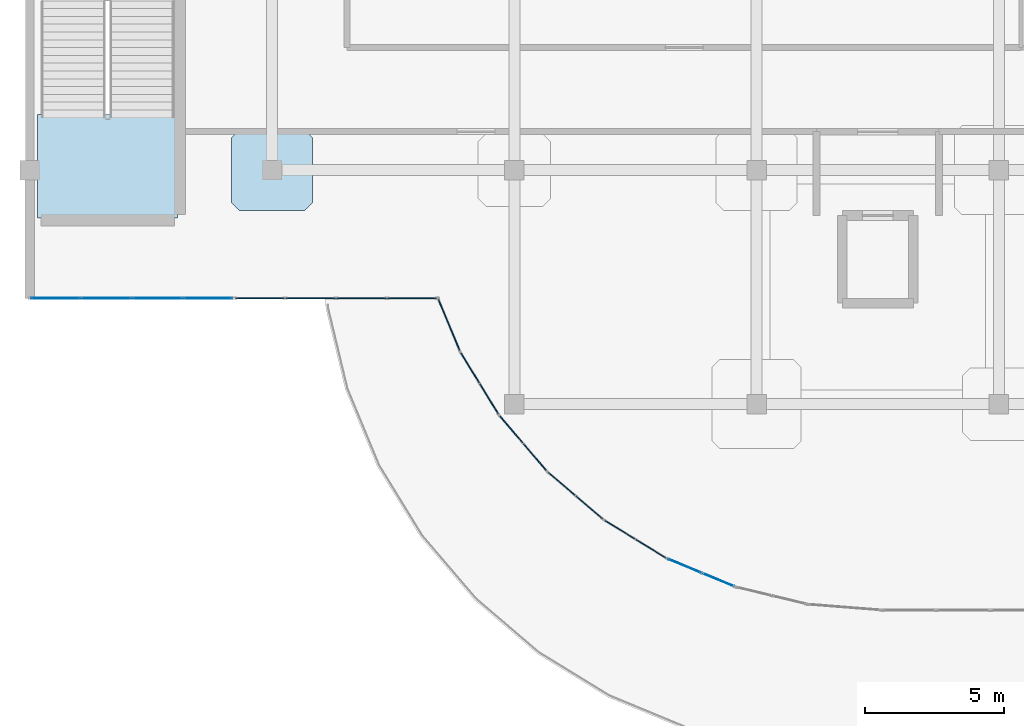
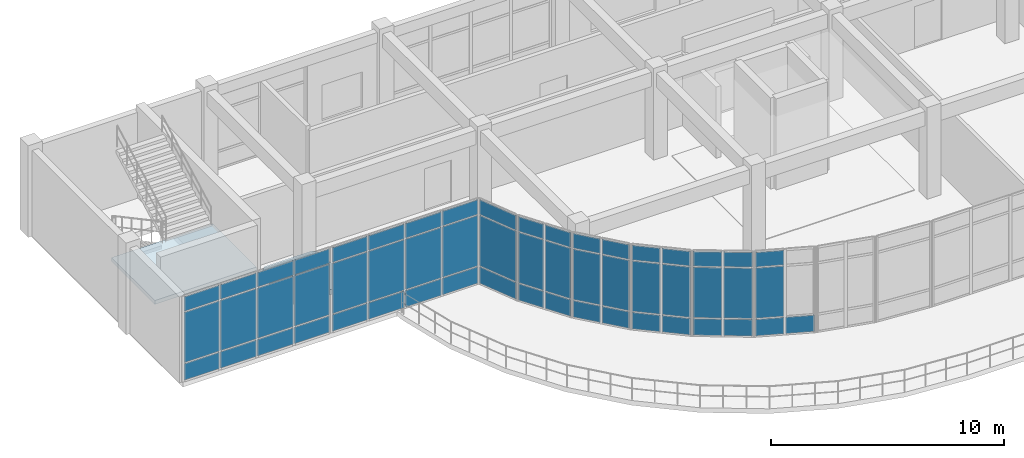
# One storey, part 46 of 64: 55 plates, 2 slabs, 9 elements without a shape of their own.
"""IFC4 building model written with IfcOpenShell, lengths in metres."""

from ifc_helpers import new_model, si_unit, derived_unit, direction, frame, origin, origin_2d, place, context, subcontext, project, spatial, polyline, rectangle, outline, extrude, material, layer, layer_set, type_object, element, aggregate, save


model = new_model("IFC4")

# Units and contexts
model_context = context("Model", 3, precision=1e-05, world=origin(), true_north=direction((0.0, 1.0)))
body_context = subcontext(model_context, "Body", "Model", "MODEL_VIEW")
ifc_project = project(units=[si_unit("LENGTHUNIT", "METRE"), si_unit("AREAUNIT", "SQUARE_METRE"), si_unit("VOLUMEUNIT", "CUBIC_METRE"), si_unit("PLANEANGLEUNIT", "RADIAN"), si_unit("MASSUNIT", "GRAM", prefix="KILO"), derived_unit("THERMALTRANSMITTANCEUNIT", [(si_unit("MASSUNIT", "GRAM", prefix="KILO"), 1), (si_unit("TIMEUNIT", "SECOND"), -3), (si_unit("THERMODYNAMICTEMPERATUREUNIT", "KELVIN"), -1)])], contexts=[model_context])

# Site, building, storey
site_placement = place(None, origin())
site = spatial("IfcSite", under=ifc_project, at=site_placement, CompositionType="ELEMENT")
building_placement = place(site_placement, origin())
building = spatial("IfcBuilding", under=site, at=building_placement, Name="Qinzheling Arcade Emporium", CompositionType="ELEMENT")
storey_placement = place(building_placement, frame((0.0, 0.0, 31.5)))
storey = spatial("IfcBuildingStorey", under=building, at=storey_placement, Name="L07", CompositionType="ELEMENT", Elevation=31.5)

# Slab
ifc_material_1 = material(Name="Concrete C40", Category="concrete")
ifc_layer_1 = layer(ifc_material_1, 0.27001953125, Name="Concrete C40", Category="concrete")
ifc_layer_set_1 = layer_set([ifc_layer_1], Name="Concrete C40")
slab_type_1 = type_object("IfcSlabType", Name="Column Head Drop Panel 2900x2900x270 C40", PredefinedType="USERDEFINED", material=ifc_layer_set_1)
slab_1_placement = place(storey_placement, frame((0.0, 0.0, -0.550048828125)))
element("IfcSlab", 1, at=slab_1_placement, inside=storey, type_object=slab_type_1, Name="Column Drop Panel DP-L07-2-E", ObjectType="DROP_PANEL", PredefinedType="USERDEFINED", context=body_context, shape_type="SweptSolid", body=[
    extrude(outline(polyline([(7.530029296875, 32.14990234375), (9.8701171875, 32.14990234375), (10.14990234375, 32.429931640625), (10.14990234375, 34.77001953125), (9.8701171875, 35.050048828125), (7.530029296875, 35.050048828125), (7.25, 34.77001953125), (7.25, 32.429931640625), (7.530029296875, 32.14990234375)])), origin(), (0.0, 0.0, 1.0), 0.27001953125),
])

# Curtain wall, plates
ifc_material_2 = material(Name="Anodised aluminium and solar-control double glazing", Category="aluminium")
ifc_layer_2 = layer(ifc_material_2, 0.159912109375, Name="Anodised aluminium and solar-control double glazing", Category="aluminium")
ifc_layer_set_2 = layer_set([ifc_layer_2], Name="Anodised aluminium and solar-control double glazing")
curtain_wall_type_1 = type_object("IfcCurtainWallType", Name="Arcade Portal Glazed Curtain Wall", PredefinedType="NOTDEFINED", material=ifc_layer_set_2)
curtain_wall_1_placement = place(storey_placement, origin())
curtain_wall_1 = element("IfcCurtainWall", 2, at=curtain_wall_1_placement, inside=storey, type_object=curtain_wall_type_1, Name="Curtain Wall CW-L07-410", PredefinedType="NOTDEFINED")
ifc_material_3 = material(Name="Laminated solar-control double glazing", Category="glass")
ifc_layer_3 = layer(ifc_material_3, 0.02099609375, Name="Laminated solar-control double glazing", Category="glass")
ifc_layer_set_3 = layer_set([ifc_layer_3], Name="Laminated solar-control double glazing")
plate_type_1 = type_object("IfcPlateType", Name="Low-E Double Glazed Curtain Panel 21mm", PredefinedType="CURTAIN_PANEL", material=ifc_layer_set_3)
plate_1_placement = place(storey_placement, frame((6.39697265625, 29.0, 0.06005859375), z_axis=(0.0, 0.0, 1.0), x_axis=(-1.0, 0.0, 0.0)))
plate_1 = element("IfcPlate", 3, at=plate_1_placement, type_object=plate_type_1, Name="CW05 panel 1.1", PredefinedType="CURTAIN_PANEL", context=body_context, shape_type="SweptSolid", body=[
    extrude(rectangle(XDim=1.741943359375, YDim=0.02099609375, at=origin_2d()), origin(), (0.0, 0.0, 1.0), 0.860107421875),
])
plate_2_placement = place(storey_placement, frame((6.39697265625, 29.0, 0.97998046875), z_axis=(0.0, 0.0, 1.0), x_axis=(-1.0, 0.0, 0.0)))
plate_2 = element("IfcPlate", 4, at=plate_2_placement, type_object=plate_type_1, Name="CW05 panel 1.2", PredefinedType="CURTAIN_PANEL", context=body_context, shape_type="SweptSolid", body=[
    extrude(rectangle(XDim=1.741943359375, YDim=0.02099609375, at=origin_2d()), origin(), (0.0, 0.0, 1.0), 2.6298828125),
])
plate_3_placement = place(storey_placement, frame((6.39697265625, 29.0, 3.669921875), z_axis=(0.0, 0.0, 1.0), x_axis=(-1.0, 0.0, 0.0)))
plate_3 = element("IfcPlate", 5, at=plate_3_placement, type_object=plate_type_1, Name="CW05 panel 1.3", PredefinedType="CURTAIN_PANEL", context=body_context, shape_type="SweptSolid", body=[
    extrude(rectangle(XDim=1.741943359375, YDim=0.02099609375, at=origin_2d()), origin(), (0.0, 0.0, 1.0), 0.760009765625),
])
plate_4_placement = place(storey_placement, frame((4.580078125, 29.0, 0.06005859375), z_axis=(0.0, 0.0, 1.0), x_axis=(-1.0, 0.0, 0.0)))
plate_4 = element("IfcPlate", 6, at=plate_4_placement, type_object=plate_type_1, Name="CW05 panel 2.1", PredefinedType="CURTAIN_PANEL", context=body_context, shape_type="SweptSolid", body=[
    extrude(rectangle(XDim=1.77197265625, YDim=0.02099609375, at=origin_2d()), origin(), (0.0, 0.0, 1.0), 0.860107421875),
])
plate_5_placement = place(storey_placement, frame((4.580078125, 29.0, 0.97998046875), z_axis=(0.0, 0.0, 1.0), x_axis=(-1.0, 0.0, 0.0)))
plate_5 = element("IfcPlate", 7, at=plate_5_placement, type_object=plate_type_1, Name="CW05 panel 2.2", PredefinedType="CURTAIN_PANEL", context=body_context, shape_type="SweptSolid", body=[
    extrude(rectangle(XDim=1.77197265625, YDim=0.02099609375, at=origin_2d()), origin(), (0.0, 0.0, 1.0), 2.6298828125),
])
plate_6_placement = place(storey_placement, frame((4.580078125, 29.0, 3.669921875), z_axis=(0.0, 0.0, 1.0), x_axis=(-1.0, 0.0, 0.0)))
plate_6 = element("IfcPlate", 8, at=plate_6_placement, type_object=plate_type_1, Name="CW05 panel 2.3", PredefinedType="CURTAIN_PANEL", context=body_context, shape_type="SweptSolid", body=[
    extrude(rectangle(XDim=1.77197265625, YDim=0.02099609375, at=origin_2d()), origin(), (0.0, 0.0, 1.0), 0.760009765625),
])
plate_7_placement = place(storey_placement, frame((2.748046875, 29.0, 0.06005859375), z_axis=(0.0, 0.0, 1.0), x_axis=(-1.0, 0.0, 0.0)))
plate_7 = element("IfcPlate", 9, at=plate_7_placement, type_object=plate_type_1, Name="CW05 panel 3.1", PredefinedType="CURTAIN_PANEL", context=body_context, shape_type="SweptSolid", body=[
    extrude(rectangle(XDim=1.77197265625, YDim=0.02099609375, at=origin_2d()), origin(), (0.0, 0.0, 1.0), 0.860107421875),
])
plate_8_placement = place(storey_placement, frame((2.748046875, 29.0, 0.97998046875), z_axis=(0.0, 0.0, 1.0), x_axis=(-1.0, 0.0, 0.0)))
plate_8 = element("IfcPlate", 10, at=plate_8_placement, type_object=plate_type_1, Name="CW05 panel 3.2", PredefinedType="CURTAIN_PANEL", context=body_context, shape_type="SweptSolid", body=[
    extrude(rectangle(XDim=1.77197265625, YDim=0.02099609375, at=origin_2d()), origin(), (0.0, 0.0, 1.0), 2.6298828125),
])
plate_9_placement = place(storey_placement, frame((2.748046875, 29.0, 3.669921875), z_axis=(0.0, 0.0, 1.0), x_axis=(-1.0, 0.0, 0.0)))
plate_9 = element("IfcPlate", 11, at=plate_9_placement, type_object=plate_type_1, Name="CW05 panel 3.3", PredefinedType="CURTAIN_PANEL", context=body_context, shape_type="SweptSolid", body=[
    extrude(rectangle(XDim=1.77197265625, YDim=0.02099609375, at=origin_2d()), origin(), (0.0, 0.0, 1.0), 0.760009765625),
])
plate_10_placement = place(storey_placement, frame((0.930908203125, 29.0, 0.06005859375), z_axis=(0.0, 0.0, 1.0), x_axis=(-1.0, 0.0, 0.0)))
plate_10 = element("IfcPlate", 12, at=plate_10_placement, type_object=plate_type_1, Name="CW05 panel 4.1", PredefinedType="CURTAIN_PANEL", context=body_context, shape_type="SweptSolid", body=[
    extrude(rectangle(XDim=1.741943359375, YDim=0.02099609375, at=origin_2d()), origin(), (0.0, 0.0, 1.0), 0.860107421875),
])
plate_11_placement = place(storey_placement, frame((0.930908203125, 29.0, 0.97998046875), z_axis=(0.0, 0.0, 1.0), x_axis=(-1.0, 0.0, 0.0)))
plate_11 = element("IfcPlate", 13, at=plate_11_placement, type_object=plate_type_1, Name="CW05 panel 4.2", PredefinedType="CURTAIN_PANEL", context=body_context, shape_type="SweptSolid", body=[
    extrude(rectangle(XDim=1.741943359375, YDim=0.02099609375, at=origin_2d()), origin(), (0.0, 0.0, 1.0), 2.6298828125),
])
plate_12_placement = place(storey_placement, frame((0.930908203125, 29.0, 3.669921875), z_axis=(0.0, 0.0, 1.0), x_axis=(-1.0, 0.0, 0.0)))
plate_12 = element("IfcPlate", 14, at=plate_12_placement, type_object=plate_type_1, Name="CW05 panel 4.3", PredefinedType="CURTAIN_PANEL", context=body_context, shape_type="SweptSolid", body=[
    extrude(rectangle(XDim=1.741943359375, YDim=0.02099609375, at=origin_2d()), origin(), (0.0, 0.0, 1.0), 0.760009765625),
])
aggregate(curtain_wall_1, [plate_1, plate_2, plate_3, plate_4, plate_5, plate_6, plate_7, plate_8, plate_9, plate_10, plate_11, plate_12])

ifc_layer_4 = layer(ifc_material_2, 0.159912109375, Name="Anodised aluminium and solar-control double glazing", Category="aluminium")
ifc_layer_set_4 = layer_set([ifc_layer_4], Name="Anodised aluminium and solar-control double glazing")
curtain_wall_type_2 = type_object("IfcCurtainWallType", Name="Curved Ribbon Sales Curtain Wall", PredefinedType="NOTDEFINED", material=ifc_layer_set_4)
curtain_wall_2_placement = place(storey_placement, origin())
curtain_wall_2 = element("IfcCurtainWall", 15, at=curtain_wall_2_placement, inside=storey, type_object=curtain_wall_type_2, Name="Curtain Wall CW-L07-403", PredefinedType="NOTDEFINED")
ifc_layer_5 = layer(ifc_material_3, 0.031005859375, Name="Laminated solar-control double glazing", Category="glass")
ifc_layer_set_5 = layer_set([ifc_layer_5], Name="Laminated solar-control double glazing")
plate_type_2 = type_object("IfcPlateType", Name="Low-E Double Glazed Curtain Panel 31mm", PredefinedType="CURTAIN_PANEL", material=ifc_layer_set_5)
plate_13_placement = place(storey_placement, frame((24.716796875, 18.89306640625, 0.06005859375), z_axis=(0.0, 0.0, 1.0), x_axis=(-0.923884360021, 0.382671777518, 0.0)))
plate_13 = element("IfcPlate", 16, at=plate_13_placement, type_object=plate_type_2, Name="CW02 panel 1.1", PredefinedType="CURTAIN_PANEL", context=body_context, shape_type="SweptSolid", body=[
    extrude(rectangle(XDim=1.244140625, YDim=0.031005859375, at=origin_2d()), origin(), (0.0, 0.0, 1.0), 0.860107421875),
])
plate_14_placement = place(storey_placement, frame((23.51220703125, 19.39208984375, 0.06005859375), z_axis=(0.0, 0.0, 1.0), x_axis=(-0.923884360021, 0.382671777518, 0.0)))
plate_14 = element("IfcPlate", 17, at=plate_14_placement, type_object=plate_type_2, Name="CW02 panel 2.1", PredefinedType="CURTAIN_PANEL", context=body_context, shape_type="SweptSolid", body=[
    extrude(rectangle(XDim=1.244140625, YDim=0.031005859375, at=origin_2d()), origin(), (0.0, 0.0, 1.0), 0.860107421875),
])
plate_15_placement = place(storey_placement, frame((23.51220703125, 19.39208984375, 0.97998046875), z_axis=(0.0, 0.0, 1.0), x_axis=(-0.923884360021, 0.382671777518, 0.0)))
plate_15 = element("IfcPlate", 18, at=plate_15_placement, type_object=plate_type_2, Name="CW02 panel 2.2", PredefinedType="CURTAIN_PANEL", context=body_context, shape_type="SweptSolid", body=[
    extrude(rectangle(XDim=1.244140625, YDim=0.031005859375, at=origin_2d()), origin(), (0.0, 0.0, 1.0), 2.6298828125),
])
plate_16_placement = place(storey_placement, frame((23.51220703125, 19.39208984375, 3.669921875), z_axis=(0.0, 0.0, 1.0), x_axis=(-0.923884360021, 0.382671777518, 0.0)))
plate_16 = element("IfcPlate", 19, at=plate_16_placement, type_object=plate_type_2, Name="CW02 panel 2.3", PredefinedType="CURTAIN_PANEL", context=body_context, shape_type="SweptSolid", body=[
    extrude(rectangle(XDim=1.244140625, YDim=0.031005859375, at=origin_2d()), origin(), (0.0, 0.0, 1.0), 0.760009765625),
])
aggregate(curtain_wall_2, [plate_13, plate_14, plate_15, plate_16])

curtain_wall_3_placement = place(storey_placement, origin())
curtain_wall_3 = element("IfcCurtainWall", 20, at=curtain_wall_3_placement, inside=storey, type_object=curtain_wall_type_2, Name="Curtain Wall CW-L07-404", PredefinedType="NOTDEFINED")
ifc_layer_6 = layer(ifc_material_3, 0.031982421875, Name="Laminated solar-control double glazing", Category="glass")
ifc_layer_set_6 = layer_set([ifc_layer_6], Name="Laminated solar-control double glazing")
plate_type_3 = type_object("IfcPlateType", Name="Low-E Double Glazed Curtain Panel 32mm", PredefinedType="CURTAIN_PANEL", material=ifc_layer_set_6)
plate_17_placement = place(storey_placement, frame((22.30078125, 20.00927734375, 0.06005859375), z_axis=(0.0, 0.0, 1.0), x_axis=(-0.852558142719, 0.522632388284, 0.0)))
plate_17 = element("IfcPlate", 21, at=plate_17_placement, type_object=plate_type_3, Name="CW02 panel 1.1", PredefinedType="CURTAIN_PANEL", context=body_context, shape_type="SweptSolid", body=[
    extrude(rectangle(XDim=1.24365234375, YDim=0.031982421875, at=origin_2d()), origin(), (0.0, 0.0, 1.0), 0.860107421875),
])
plate_18_placement = place(storey_placement, frame((22.30078125, 20.00927734375, 0.97998046875), z_axis=(0.0, 0.0, 1.0), x_axis=(-0.852558142719, 0.522632388284, 0.0)))
plate_18 = element("IfcPlate", 22, at=plate_18_placement, type_object=plate_type_3, Name="CW02 panel 1.2", PredefinedType="CURTAIN_PANEL", context=body_context, shape_type="SweptSolid", body=[
    extrude(rectangle(XDim=1.24365234375, YDim=0.031982421875, at=origin_2d()), origin(), (0.0, 0.0, 1.0), 2.6298828125),
])
plate_19_placement = place(storey_placement, frame((22.30078125, 20.00927734375, 3.669921875), z_axis=(0.0, 0.0, 1.0), x_axis=(-0.852558142719, 0.522632388284, 0.0)))
plate_19 = element("IfcPlate", 23, at=plate_19_placement, type_object=plate_type_3, Name="CW02 panel 1.3", PredefinedType="CURTAIN_PANEL", context=body_context, shape_type="SweptSolid", body=[
    extrude(rectangle(XDim=1.24365234375, YDim=0.031982421875, at=origin_2d()), origin(), (0.0, 0.0, 1.0), 0.760009765625),
])
plate_20_placement = place(storey_placement, frame((21.189208984375, 20.690673828125, 0.06005859375), z_axis=(0.0, 0.0, 1.0), x_axis=(-0.852558142719, 0.522632388284, 0.0)))
plate_20 = element("IfcPlate", 24, at=plate_20_placement, type_object=plate_type_3, Name="CW02 panel 2.1", PredefinedType="CURTAIN_PANEL", context=body_context, shape_type="SweptSolid", body=[
    extrude(rectangle(XDim=1.24365234375, YDim=0.031982421875, at=origin_2d()), origin(), (0.0, 0.0, 1.0), 0.860107421875),
])
plate_21_placement = place(storey_placement, frame((21.189208984375, 20.690673828125, 0.97998046875), z_axis=(0.0, 0.0, 1.0), x_axis=(-0.852558142719, 0.522632388284, 0.0)))
plate_21 = element("IfcPlate", 25, at=plate_21_placement, type_object=plate_type_3, Name="CW02 panel 2.2", PredefinedType="CURTAIN_PANEL", context=body_context, shape_type="SweptSolid", body=[
    extrude(rectangle(XDim=1.24365234375, YDim=0.031982421875, at=origin_2d()), origin(), (0.0, 0.0, 1.0), 2.6298828125),
])
plate_22_placement = place(storey_placement, frame((21.189208984375, 20.690673828125, 3.669921875), z_axis=(0.0, 0.0, 1.0), x_axis=(-0.852558142719, 0.522632388284, 0.0)))
plate_22 = element("IfcPlate", 26, at=plate_22_placement, type_object=plate_type_3, Name="CW02 panel 2.3", PredefinedType="CURTAIN_PANEL", context=body_context, shape_type="SweptSolid", body=[
    extrude(rectangle(XDim=1.24365234375, YDim=0.031982421875, at=origin_2d()), origin(), (0.0, 0.0, 1.0), 0.760009765625),
])
aggregate(curtain_wall_3, [plate_17, plate_18, plate_19, plate_20, plate_21, plate_22])

curtain_wall_4_placement = place(storey_placement, origin())
curtain_wall_4 = element("IfcCurtainWall", 27, at=curtain_wall_4_placement, inside=storey, type_object=curtain_wall_type_2, Name="Curtain Wall CW-L07-405", PredefinedType="NOTDEFINED")
ifc_layer_7 = layer(ifc_material_3, 0.033935546875, Name="Laminated solar-control double glazing", Category="glass")
ifc_layer_set_7 = layer_set([ifc_layer_7], Name="Laminated solar-control double glazing")
plate_type_4 = type_object("IfcPlateType", Name="Low-E Double Glazed Curtain Panel 34mm", PredefinedType="CURTAIN_PANEL", material=ifc_layer_set_7)
plate_23_placement = place(storey_placement, frame((20.08935546875, 21.48974609375, 0.06005859375), z_axis=(0.0, 0.0, 1.0), x_axis=(-0.760578046296, 0.649246513655, 0.0)))
plate_23 = element("IfcPlate", 28, at=plate_23_placement, type_object=plate_type_4, Name="CW02 panel 1.1", PredefinedType="CURTAIN_PANEL", context=body_context, shape_type="SweptSolid", body=[
    extrude(rectangle(XDim=1.243896484375, YDim=0.033935546875, at=origin_2d()), origin(), (0.0, 0.0, 1.0), 0.860107421875),
])
plate_24_placement = place(storey_placement, frame((20.08935546875, 21.48974609375, 0.97998046875), z_axis=(0.0, 0.0, 1.0), x_axis=(-0.760578046296, 0.649246513655, 0.0)))
plate_24 = element("IfcPlate", 29, at=plate_24_placement, type_object=plate_type_4, Name="CW02 panel 1.2", PredefinedType="CURTAIN_PANEL", context=body_context, shape_type="SweptSolid", body=[
    extrude(rectangle(XDim=1.243896484375, YDim=0.033935546875, at=origin_2d()), origin(), (0.0, 0.0, 1.0), 2.6298828125),
])
plate_25_placement = place(storey_placement, frame((20.08935546875, 21.48974609375, 3.669921875), z_axis=(0.0, 0.0, 1.0), x_axis=(-0.760578046296, 0.649246513655, 0.0)))
plate_25 = element("IfcPlate", 30, at=plate_25_placement, type_object=plate_type_4, Name="CW02 panel 1.3", PredefinedType="CURTAIN_PANEL", context=body_context, shape_type="SweptSolid", body=[
    extrude(rectangle(XDim=1.243896484375, YDim=0.033935546875, at=origin_2d()), origin(), (0.0, 0.0, 1.0), 0.760009765625),
])
plate_26_placement = place(storey_placement, frame((19.09765625, 22.336181640625, 0.06005859375), z_axis=(0.0, 0.0, 1.0), x_axis=(-0.760578046296, 0.649246513655, 0.0)))
plate_26 = element("IfcPlate", 31, at=plate_26_placement, type_object=plate_type_4, Name="CW02 panel 2.1", PredefinedType="CURTAIN_PANEL", context=body_context, shape_type="SweptSolid", body=[
    extrude(rectangle(XDim=1.243896484375, YDim=0.033935546875, at=origin_2d()), origin(), (0.0, 0.0, 1.0), 0.860107421875),
])
plate_27_placement = place(storey_placement, frame((19.09765625, 22.336181640625, 0.97998046875), z_axis=(0.0, 0.0, 1.0), x_axis=(-0.760578046296, 0.649246513655, 0.0)))
plate_27 = element("IfcPlate", 32, at=plate_27_placement, type_object=plate_type_4, Name="CW02 panel 2.2", PredefinedType="CURTAIN_PANEL", context=body_context, shape_type="SweptSolid", body=[
    extrude(rectangle(XDim=1.243896484375, YDim=0.033935546875, at=origin_2d()), origin(), (0.0, 0.0, 1.0), 2.6298828125),
])
plate_28_placement = place(storey_placement, frame((19.09765625, 22.336181640625, 3.669921875), z_axis=(0.0, 0.0, 1.0), x_axis=(-0.760578046296, 0.649246513655, 0.0)))
plate_28 = element("IfcPlate", 33, at=plate_28_placement, type_object=plate_type_4, Name="CW02 panel 2.3", PredefinedType="CURTAIN_PANEL", context=body_context, shape_type="SweptSolid", body=[
    extrude(rectangle(XDim=1.243896484375, YDim=0.033935546875, at=origin_2d()), origin(), (0.0, 0.0, 1.0), 0.760009765625),
])
aggregate(curtain_wall_4, [plate_23, plate_24, plate_25, plate_26, plate_27, plate_28])

curtain_wall_5_placement = place(storey_placement, origin())
curtain_wall_5 = element("IfcCurtainWall", 34, at=curtain_wall_5_placement, inside=storey, type_object=curtain_wall_type_2, Name="Curtain Wall CW-L07-406", PredefinedType="NOTDEFINED")
ifc_layer_8 = layer(ifc_material_3, 0.035888671875, Name="Laminated solar-control double glazing", Category="glass")
ifc_layer_set_8 = layer_set([ifc_layer_8], Name="Laminated solar-control double glazing")
plate_type_5 = type_object("IfcPlateType", Name="Low-E Double Glazed Curtain Panel 36mm", PredefinedType="CURTAIN_PANEL", material=ifc_layer_set_8)
plate_29_placement = place(storey_placement, frame((18.13623046875, 23.297607421875, 0.06005859375), z_axis=(0.0, 0.0, 1.0), x_axis=(-0.649246513655, 0.760578046296, 0.0)))
plate_29 = element("IfcPlate", 35, at=plate_29_placement, type_object=plate_type_5, Name="CW02 panel 1.1", PredefinedType="CURTAIN_PANEL", context=body_context, shape_type="SweptSolid", body=[
    extrude(rectangle(XDim=1.243896484375, YDim=0.035888671875, at=origin_2d()), origin(), (0.0, 0.0, 1.0), 0.860107421875),
])
plate_30_placement = place(storey_placement, frame((18.13623046875, 23.297607421875, 0.97998046875), z_axis=(0.0, 0.0, 1.0), x_axis=(-0.649246513655, 0.760578046296, 0.0)))
plate_30 = element("IfcPlate", 36, at=plate_30_placement, type_object=plate_type_5, Name="CW02 panel 1.2", PredefinedType="CURTAIN_PANEL", context=body_context, shape_type="SweptSolid", body=[
    extrude(rectangle(XDim=1.243896484375, YDim=0.035888671875, at=origin_2d()), origin(), (0.0, 0.0, 1.0), 2.6298828125),
])
plate_31_placement = place(storey_placement, frame((18.13623046875, 23.297607421875, 3.669921875), z_axis=(0.0, 0.0, 1.0), x_axis=(-0.649246513655, 0.760578046296, 0.0)))
plate_31 = element("IfcPlate", 37, at=plate_31_placement, type_object=plate_type_5, Name="CW02 panel 1.3", PredefinedType="CURTAIN_PANEL", context=body_context, shape_type="SweptSolid", body=[
    extrude(rectangle(XDim=1.243896484375, YDim=0.035888671875, at=origin_2d()), origin(), (0.0, 0.0, 1.0), 0.760009765625),
])
plate_32_placement = place(storey_placement, frame((17.289794921875, 24.289306640625, 0.06005859375), z_axis=(0.0, 0.0, 1.0), x_axis=(-0.649246513655, 0.760578046296, 0.0)))
plate_32 = element("IfcPlate", 38, at=plate_32_placement, type_object=plate_type_5, Name="CW02 panel 2.1", PredefinedType="CURTAIN_PANEL", context=body_context, shape_type="SweptSolid", body=[
    extrude(rectangle(XDim=1.243896484375, YDim=0.035888671875, at=origin_2d()), origin(), (0.0, 0.0, 1.0), 0.860107421875),
])
plate_33_placement = place(storey_placement, frame((17.289794921875, 24.289306640625, 0.97998046875), z_axis=(0.0, 0.0, 1.0), x_axis=(-0.649246513655, 0.760578046296, 0.0)))
plate_33 = element("IfcPlate", 39, at=plate_33_placement, type_object=plate_type_5, Name="CW02 panel 2.2", PredefinedType="CURTAIN_PANEL", context=body_context, shape_type="SweptSolid", body=[
    extrude(rectangle(XDim=1.243896484375, YDim=0.035888671875, at=origin_2d()), origin(), (0.0, 0.0, 1.0), 2.6298828125),
])
plate_34_placement = place(storey_placement, frame((17.289794921875, 24.289306640625, 3.669921875), z_axis=(0.0, 0.0, 1.0), x_axis=(-0.649246513655, 0.760578046296, 0.0)))
plate_34 = element("IfcPlate", 40, at=plate_34_placement, type_object=plate_type_5, Name="CW02 panel 2.3", PredefinedType="CURTAIN_PANEL", context=body_context, shape_type="SweptSolid", body=[
    extrude(rectangle(XDim=1.243896484375, YDim=0.035888671875, at=origin_2d()), origin(), (0.0, 0.0, 1.0), 0.760009765625),
])
aggregate(curtain_wall_5, [plate_29, plate_30, plate_31, plate_32, plate_33, plate_34])

curtain_wall_6_placement = place(storey_placement, origin())
curtain_wall_6 = element("IfcCurtainWall", 41, at=curtain_wall_6_placement, inside=storey, type_object=curtain_wall_type_2, Name="Curtain Wall CW-L07-407", PredefinedType="NOTDEFINED")
ifc_layer_9 = layer(ifc_material_3, 0.0380859375, Name="Laminated solar-control double glazing", Category="glass")
ifc_layer_set_9 = layer_set([ifc_layer_9], Name="Laminated solar-control double glazing")
plate_type_6 = type_object("IfcPlateType", Name="Low-E Double Glazed Curtain Panel 38mm", PredefinedType="CURTAIN_PANEL", material=ifc_layer_set_9)
plate_35_placement = place(storey_placement, frame((16.49072265625, 25.389404296875, 0.06005859375), z_axis=(0.0, 0.0, 1.0), x_axis=(-0.522632388284, 0.852558142719, 0.0)))
plate_35 = element("IfcPlate", 42, at=plate_35_placement, type_object=plate_type_6, Name="CW02 panel 1.1", PredefinedType="CURTAIN_PANEL", context=body_context, shape_type="SweptSolid", body=[
    extrude(rectangle(XDim=1.24365234375, YDim=0.0380859375, at=origin_2d()), origin(), (0.0, 0.0, 1.0), 0.860107421875),
])
plate_36_placement = place(storey_placement, frame((16.49072265625, 25.389404296875, 0.97998046875), z_axis=(0.0, 0.0, 1.0), x_axis=(-0.522632388284, 0.852558142719, 0.0)))
plate_36 = element("IfcPlate", 43, at=plate_36_placement, type_object=plate_type_6, Name="CW02 panel 1.2", PredefinedType="CURTAIN_PANEL", context=body_context, shape_type="SweptSolid", body=[
    extrude(rectangle(XDim=1.24365234375, YDim=0.0380859375, at=origin_2d()), origin(), (0.0, 0.0, 1.0), 2.6298828125),
])
plate_37_placement = place(storey_placement, frame((16.49072265625, 25.389404296875, 3.669921875), z_axis=(0.0, 0.0, 1.0), x_axis=(-0.522632388284, 0.852558142719, 0.0)))
plate_37 = element("IfcPlate", 44, at=plate_37_placement, type_object=plate_type_6, Name="CW02 panel 1.3", PredefinedType="CURTAIN_PANEL", context=body_context, shape_type="SweptSolid", body=[
    extrude(rectangle(XDim=1.24365234375, YDim=0.0380859375, at=origin_2d()), origin(), (0.0, 0.0, 1.0), 0.760009765625),
])
plate_38_placement = place(storey_placement, frame((15.809326171875, 26.500732421875, 0.06005859375), z_axis=(0.0, 0.0, 1.0), x_axis=(-0.522632388284, 0.852558142719, 0.0)))
plate_38 = element("IfcPlate", 45, at=plate_38_placement, type_object=plate_type_6, Name="CW02 panel 2.1", PredefinedType="CURTAIN_PANEL", context=body_context, shape_type="SweptSolid", body=[
    extrude(rectangle(XDim=1.24365234375, YDim=0.0380859375, at=origin_2d()), origin(), (0.0, 0.0, 1.0), 0.860107421875),
])
plate_39_placement = place(storey_placement, frame((15.809326171875, 26.500732421875, 0.97998046875), z_axis=(0.0, 0.0, 1.0), x_axis=(-0.522632388284, 0.852558142719, 0.0)))
plate_39 = element("IfcPlate", 46, at=plate_39_placement, type_object=plate_type_6, Name="CW02 panel 2.2", PredefinedType="CURTAIN_PANEL", context=body_context, shape_type="SweptSolid", body=[
    extrude(rectangle(XDim=1.24365234375, YDim=0.0380859375, at=origin_2d()), origin(), (0.0, 0.0, 1.0), 2.6298828125),
])
plate_40_placement = place(storey_placement, frame((15.809326171875, 26.500732421875, 3.669921875), z_axis=(0.0, 0.0, 1.0), x_axis=(-0.522632388284, 0.852558142719, 0.0)))
plate_40 = element("IfcPlate", 47, at=plate_40_placement, type_object=plate_type_6, Name="CW02 panel 2.3", PredefinedType="CURTAIN_PANEL", context=body_context, shape_type="SweptSolid", body=[
    extrude(rectangle(XDim=1.24365234375, YDim=0.0380859375, at=origin_2d()), origin(), (0.0, 0.0, 1.0), 0.760009765625),
])
aggregate(curtain_wall_6, [plate_35, plate_36, plate_37, plate_38, plate_39, plate_40])

curtain_wall_7_placement = place(storey_placement, origin())
curtain_wall_7 = element("IfcCurtainWall", 48, at=curtain_wall_7_placement, inside=storey, type_object=curtain_wall_type_2, Name="Curtain Wall CW-L07-408", PredefinedType="NOTDEFINED")
ifc_layer_10 = layer(ifc_material_3, 0.0400390625, Name="Laminated solar-control double glazing", Category="glass")
ifc_layer_set_10 = layer_set([ifc_layer_10], Name="Laminated solar-control double glazing")
plate_type_7 = type_object("IfcPlateType", Name="Low-E Double Glazed Curtain Panel 40mm", PredefinedType="CURTAIN_PANEL", material=ifc_layer_set_10)
plate_41_placement = place(storey_placement, frame((15.055908203125, 28.041015625, 0.06005859375), z_axis=(0.0, 0.0, 1.0), x_axis=(-0.382493617351, 0.923958133622, 0.0)))
plate_41 = element("IfcPlate", 49, at=plate_41_placement, type_object=plate_type_7, Name="CW02 panel 1.1", PredefinedType="CURTAIN_PANEL", context=body_context, shape_type="SweptSolid", body=[
    extrude(rectangle(XDim=1.955810546875, YDim=0.0400390625, at=origin_2d()), origin(), (0.0, 0.0, 1.0), 0.860107421875),
])
plate_42_placement = place(storey_placement, frame((15.055908203125, 28.041015625, 0.97998046875), z_axis=(0.0, 0.0, 1.0), x_axis=(-0.382493617351, 0.923958133622, 0.0)))
plate_42 = element("IfcPlate", 50, at=plate_42_placement, type_object=plate_type_7, Name="CW02 panel 1.2", PredefinedType="CURTAIN_PANEL", context=body_context, shape_type="SweptSolid", body=[
    extrude(rectangle(XDim=1.955810546875, YDim=0.0400390625, at=origin_2d()), origin(), (0.0, 0.0, 1.0), 2.6298828125),
])
plate_43_placement = place(storey_placement, frame((15.055908203125, 28.041015625, 3.669921875), z_axis=(0.0, 0.0, 1.0), x_axis=(-0.382493617351, 0.923958133622, 0.0)))
plate_43 = element("IfcPlate", 51, at=plate_43_placement, type_object=plate_type_7, Name="CW02 panel 1.3", PredefinedType="CURTAIN_PANEL", context=body_context, shape_type="SweptSolid", body=[
    extrude(rectangle(XDim=1.955810546875, YDim=0.0400390625, at=origin_2d()), origin(), (0.0, 0.0, 1.0), 0.760009765625),
])
aggregate(curtain_wall_7, [plate_41, plate_42, plate_43])

curtain_wall_8_placement = place(storey_placement, origin())
curtain_wall_8 = element("IfcCurtainWall", 52, at=curtain_wall_8_placement, inside=storey, type_object=curtain_wall_type_1, Name="Curtain Wall CW-L07-409", PredefinedType="NOTDEFINED")
ifc_layer_11 = layer(ifc_material_3, 0.0419921875, Name="Laminated solar-control double glazing", Category="glass")
ifc_layer_set_11 = layer_set([ifc_layer_11], Name="Laminated solar-control double glazing")
plate_type_8 = type_object("IfcPlateType", Name="Low-E Double Glazed Curtain Panel 42mm", PredefinedType="CURTAIN_PANEL", material=ifc_layer_set_11)
plate_44_placement = place(storey_placement, frame((13.72802734375, 29.0, 0.06005859375), z_axis=(0.0, 0.0, 1.0), x_axis=(-1.0, 0.0, 0.0)))
plate_44 = element("IfcPlate", 53, at=plate_44_placement, type_object=plate_type_8, Name="CW05 panel 1.1", PredefinedType="CURTAIN_PANEL", context=body_context, shape_type="SweptSolid", body=[
    extrude(rectangle(XDim=1.74169921875, YDim=0.0419921875, at=origin_2d()), origin(), (0.0, 0.0, 1.0), 0.860107421875),
])
plate_45_placement = place(storey_placement, frame((13.72802734375, 29.0, 0.97998046875), z_axis=(0.0, 0.0, 1.0), x_axis=(-1.0, 0.0, 0.0)))
plate_45 = element("IfcPlate", 54, at=plate_45_placement, type_object=plate_type_8, Name="CW05 panel 1.2", PredefinedType="CURTAIN_PANEL", context=body_context, shape_type="SweptSolid", body=[
    extrude(rectangle(XDim=1.74169921875, YDim=0.0419921875, at=origin_2d()), origin(), (0.0, 0.0, 1.0), 2.6298828125),
])
plate_46_placement = place(storey_placement, frame((13.72802734375, 29.0, 3.669921875), z_axis=(0.0, 0.0, 1.0), x_axis=(-1.0, 0.0, 0.0)))
plate_46 = element("IfcPlate", 55, at=plate_46_placement, type_object=plate_type_8, Name="CW05 panel 1.3", PredefinedType="CURTAIN_PANEL", context=body_context, shape_type="SweptSolid", body=[
    extrude(rectangle(XDim=1.74169921875, YDim=0.0419921875, at=origin_2d()), origin(), (0.0, 0.0, 1.0), 0.760009765625),
])
plate_47_placement = place(storey_placement, frame((11.911376953125, 29.0, 0.06005859375), z_axis=(0.0, 0.0, 1.0), x_axis=(-1.0, 0.0, 0.0)))
plate_47 = element("IfcPlate", 56, at=plate_47_placement, type_object=plate_type_8, Name="CW05 panel 2.1", PredefinedType="CURTAIN_PANEL", context=body_context, shape_type="SweptSolid", body=[
    extrude(rectangle(XDim=1.771728515625, YDim=0.0419921875, at=origin_2d()), origin(), (0.0, 0.0, 1.0), 0.860107421875),
])
plate_48_placement = place(storey_placement, frame((11.911376953125, 29.0, 0.97998046875), z_axis=(0.0, 0.0, 1.0), x_axis=(-1.0, 0.0, 0.0)))
plate_48 = element("IfcPlate", 57, at=plate_48_placement, type_object=plate_type_8, Name="CW05 panel 2.2", PredefinedType="CURTAIN_PANEL", context=body_context, shape_type="SweptSolid", body=[
    extrude(rectangle(XDim=1.771728515625, YDim=0.0419921875, at=origin_2d()), origin(), (0.0, 0.0, 1.0), 2.6298828125),
])
plate_49_placement = place(storey_placement, frame((11.911376953125, 29.0, 3.669921875), z_axis=(0.0, 0.0, 1.0), x_axis=(-1.0, 0.0, 0.0)))
plate_49 = element("IfcPlate", 58, at=plate_49_placement, type_object=plate_type_8, Name="CW05 panel 2.3", PredefinedType="CURTAIN_PANEL", context=body_context, shape_type="SweptSolid", body=[
    extrude(rectangle(XDim=1.771728515625, YDim=0.0419921875, at=origin_2d()), origin(), (0.0, 0.0, 1.0), 0.760009765625),
])
plate_50_placement = place(storey_placement, frame((10.07958984375, 29.0, 0.06005859375), z_axis=(0.0, 0.0, 1.0), x_axis=(-1.0, 0.0, 0.0)))
plate_50 = element("IfcPlate", 59, at=plate_50_placement, type_object=plate_type_8, Name="CW05 panel 3.1", PredefinedType="CURTAIN_PANEL", context=body_context, shape_type="SweptSolid", body=[
    extrude(rectangle(XDim=1.771728515625, YDim=0.0419921875, at=origin_2d()), origin(), (0.0, 0.0, 1.0), 0.860107421875),
])
plate_51_placement = place(storey_placement, frame((10.07958984375, 29.0, 0.97998046875), z_axis=(0.0, 0.0, 1.0), x_axis=(-1.0, 0.0, 0.0)))
plate_51 = element("IfcPlate", 60, at=plate_51_placement, type_object=plate_type_8, Name="CW05 panel 3.2", PredefinedType="CURTAIN_PANEL", context=body_context, shape_type="SweptSolid", body=[
    extrude(rectangle(XDim=1.771728515625, YDim=0.0419921875, at=origin_2d()), origin(), (0.0, 0.0, 1.0), 2.6298828125),
])
plate_52_placement = place(storey_placement, frame((10.07958984375, 29.0, 3.669921875), z_axis=(0.0, 0.0, 1.0), x_axis=(-1.0, 0.0, 0.0)))
plate_52 = element("IfcPlate", 61, at=plate_52_placement, type_object=plate_type_8, Name="CW05 panel 3.3", PredefinedType="CURTAIN_PANEL", context=body_context, shape_type="SweptSolid", body=[
    extrude(rectangle(XDim=1.771728515625, YDim=0.0419921875, at=origin_2d()), origin(), (0.0, 0.0, 1.0), 0.760009765625),
])
plate_53_placement = place(storey_placement, frame((8.262939453125, 29.0, 0.06005859375), z_axis=(0.0, 0.0, 1.0), x_axis=(-1.0, 0.0, 0.0)))
plate_53 = element("IfcPlate", 62, at=plate_53_placement, type_object=plate_type_8, Name="CW05 panel 4.1", PredefinedType="CURTAIN_PANEL", context=body_context, shape_type="SweptSolid", body=[
    extrude(rectangle(XDim=1.74169921875, YDim=0.0419921875, at=origin_2d()), origin(), (0.0, 0.0, 1.0), 0.860107421875),
])
plate_54_placement = place(storey_placement, frame((8.262939453125, 29.0, 0.97998046875), z_axis=(0.0, 0.0, 1.0), x_axis=(-1.0, 0.0, 0.0)))
plate_54 = element("IfcPlate", 63, at=plate_54_placement, type_object=plate_type_8, Name="CW05 panel 4.2", PredefinedType="CURTAIN_PANEL", context=body_context, shape_type="SweptSolid", body=[
    extrude(rectangle(XDim=1.74169921875, YDim=0.0419921875, at=origin_2d()), origin(), (0.0, 0.0, 1.0), 2.6298828125),
])
plate_55_placement = place(storey_placement, frame((8.262939453125, 29.0, 3.669921875), z_axis=(0.0, 0.0, 1.0), x_axis=(-1.0, 0.0, 0.0)))
plate_55 = element("IfcPlate", 64, at=plate_55_placement, type_object=plate_type_8, Name="CW05 panel 4.3", PredefinedType="CURTAIN_PANEL", context=body_context, shape_type="SweptSolid", body=[
    extrude(rectangle(XDim=1.74169921875, YDim=0.0419921875, at=origin_2d()), origin(), (0.0, 0.0, 1.0), 0.760009765625),
])
aggregate(curtain_wall_8, [plate_44, plate_45, plate_46, plate_47, plate_48, plate_49, plate_50, plate_51, plate_52, plate_53, plate_54, plate_55])

# Stair, slab
stair_type = type_object("IfcStairType", Name="Cast-in-Situ Dog-Leg Escape Stair H4800", PredefinedType="HALF_TURN_STAIR", material=ifc_material_1)
stair_placement = place(storey_placement, origin())
stair = element("IfcStair", 65, at=stair_placement, inside=storey, type_object=stair_type, Name="L07 ST02", PredefinedType="HALF_TURN_STAIR")
ifc_layer_12 = layer(ifc_material_1, 0.199951171875, Name="Concrete C40", Category="concrete")
ifc_layer_set_12 = layer_set([ifc_layer_12], Name="Concrete C40")
slab_type_2 = type_object("IfcSlabType", Name="Stair Half-Turn Landing Slab 200 C40", PredefinedType="LANDING", material=ifc_layer_set_12)
slab_2_placement = place(storey_placement, frame((0.0, 0.0, 2.199951171875)))
slab_2 = element("IfcSlab", 66, at=slab_2_placement, type_object=slab_type_2, Name="ST02 landing 1", PredefinedType="LANDING", context=body_context, shape_type="SweptSolid", body=[
    extrude(outline(polyline([(0.280029296875, 35.60009765625), (5.31005859375, 35.60009765625), (5.31005859375, 31.8798828125), (0.280029296875, 31.8798828125), (0.280029296875, 35.60009765625)])), origin(), (0.0, 0.0, 1.0), 0.199951171875),
])
aggregate(stair, [slab_2])

save(model, "model.ifc")
